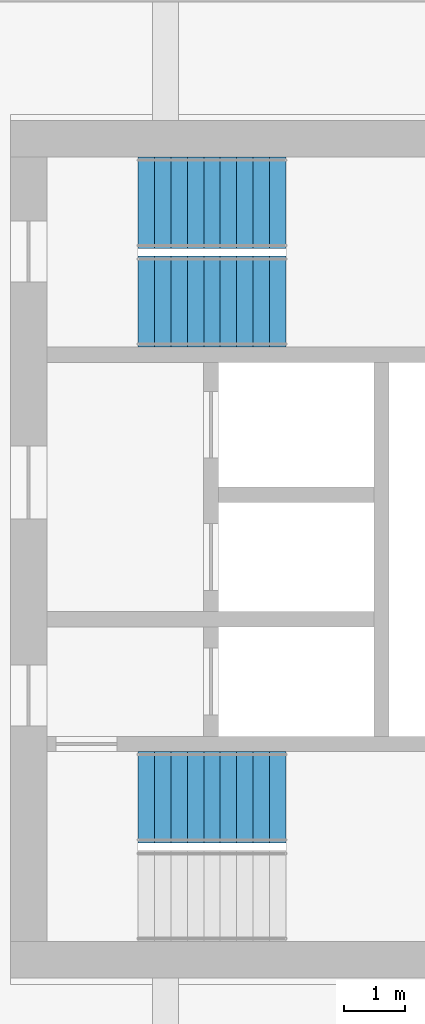
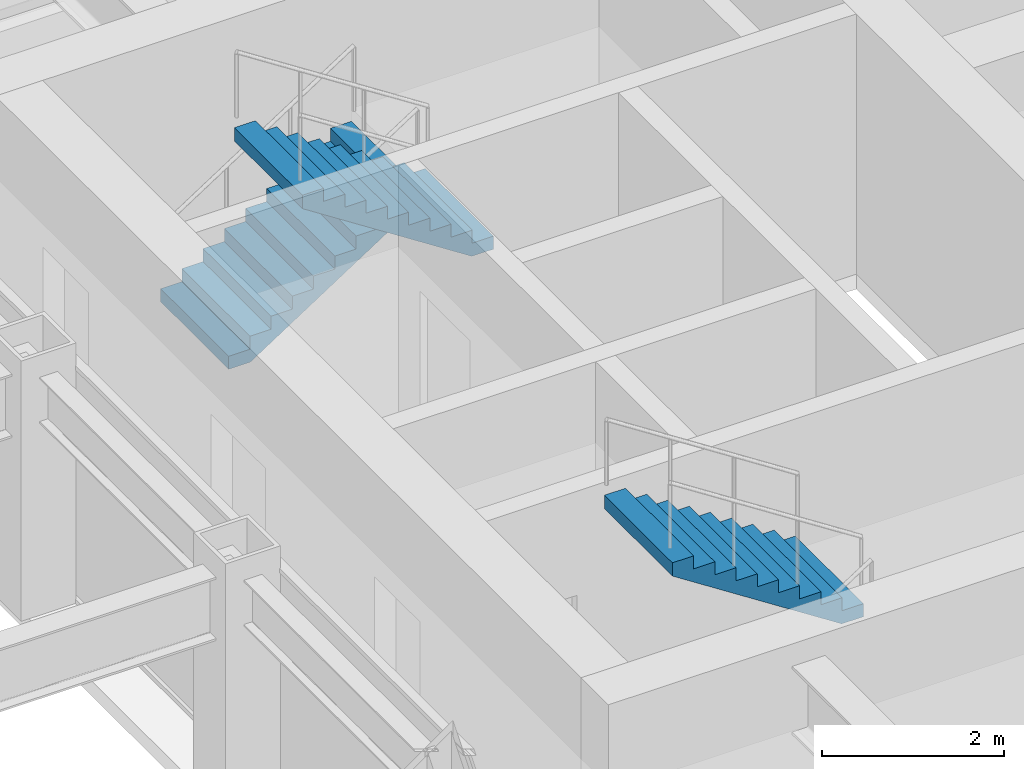
# One storey, part 16 of 21: 3 stair flights, 2 elements without a shape of their own.
"""IFC4 building model written with IfcOpenShell, lengths in metres."""

from ifc_helpers import new_model, si_unit, direction, frame, origin, place, context, subcontext, project, spatial, polyline, outline, extrude, material, type_object, element, aggregate, save


model = new_model("IFC4")

# Units and contexts
model_context = context("Model", 3, precision=1e-05, world=origin(), true_north=direction((0.0, 1.0)))
body_context = subcontext(model_context, "Body", "Model", "MODEL_VIEW")
ifc_project = project(units=[si_unit("LENGTHUNIT", "METRE"), si_unit("AREAUNIT", "SQUARE_METRE"), si_unit("VOLUMEUNIT", "CUBIC_METRE"), si_unit("PLANEANGLEUNIT", "RADIAN"), si_unit("MASSUNIT", "GRAM", prefix="KILO")], contexts=[model_context])

# Site, building, storey
site_placement = place(None, origin())
site = spatial("IfcSite", under=ifc_project, at=site_placement, CompositionType="ELEMENT")
building_placement = place(site_placement, origin())
building = spatial("IfcBuilding", under=site, at=building_placement, Name="Msasa Ring Tower", CompositionType="ELEMENT")
storey_placement = place(building_placement, frame((0.0, 0.0, 103.5)))
storey = spatial("IfcBuildingStorey", under=building, at=storey_placement, Name="L27", CompositionType="ELEMENT", Elevation=103.5)

# Stair, stair flight
ifc_material_1 = material(Name="Concrete C40/50", Category="concrete")
stair_type = type_object("IfcStairType", Name="STC CORE STAIR 20 RISERS 175", PredefinedType="HALF_TURN_STAIR", material=ifc_material_1)
stair_1_placement = place(storey_placement, origin())
stair_1 = element("IfcStair", 1, at=stair_1_placement, inside=storey, type_object=stair_type, Name="Core stair SEA L27", PredefinedType="HALF_TURN_STAIR")
ifc_material_2 = material(Name="Concrete C40/50", Category="concrete")
stair_flight_type = type_object("IfcStairFlightType", Name="ST12 CORE STAIR FLIGHT 1500 10 RISERS 175", PredefinedType="STRAIGHT", material=ifc_material_2)
stair_flight_1_placement = place(storey_placement, frame((13.22998046875, -4.074951171875, 1.75), z_axis=(0.0, 0.0, 1.0), x_axis=(-1.0, 0.0, 0.0)))
stair_flight_1 = element("IfcStairFlight", 2, at=stair_flight_1_placement, type_object=stair_flight_type, Name="SEA flight 2", NumberOfRisers=10, NumberOfTreads=9, PredefinedType="STRAIGHT", RiserHeight=0.175, TreadLength=0.27, context=body_context, shape_type="SweptSolid", body=[
    extrude(outline(polyline([(0.0, 0.0), (0.0, 0.175048828125), (0.27001953125, 0.175048828125), (0.27001953125, 0.35009765625), (0.5400390625, 0.35009765625), (0.5400390625, 0.52490234375), (0.81005859375, 0.52490234375), (0.81005859375, 0.699951171875), (1.080078125, 0.699951171875), (1.080078125, 0.875), (1.35009765625, 0.875), (1.35009765625, 1.050048828125), (1.6201171875, 1.050048828125), (1.6201171875, 1.22509765625), (1.889892578125, 1.22509765625), (1.889892578125, 1.39990234375), (2.159912109375, 1.39990234375), (2.159912109375, 1.574951171875), (2.429931640625, 1.574951171875), (2.429931640625, 1.75), (2.429931640625, 1.396484375), (0.275634765625, 0.0), (0.0, 0.0)])), frame((0.0, 0.75, 0.0), z_axis=(0.0, -1.0, 0.0), x_axis=(1.0, 0.0, 0.0)), (0.0, 0.0, 1.0), 1.5),
])
aggregate(stair_1, [stair_flight_1])

# Stair, stair flights
stair_2_placement = place(storey_placement, origin())
stair_2 = element("IfcStair", 3, at=stair_2_placement, inside=storey, type_object=stair_type, Name="Core stair SEB L27", PredefinedType="HALF_TURN_STAIR")
stair_flight_2_placement = place(storey_placement, frame((10.800048828125, 5.699951171875, 0.0), z_axis=(0.0, 0.0, 1.0), x_axis=(1.0, 0.0, 0.0)))
stair_flight_2 = element("IfcStairFlight", 4, at=stair_flight_2_placement, type_object=stair_flight_type, Name="SEB flight 1", NumberOfRisers=10, NumberOfTreads=9, PredefinedType="STRAIGHT", RiserHeight=0.175, TreadLength=0.27, context=body_context, shape_type="SweptSolid", body=[
    extrude(outline(polyline([(0.0, 0.0), (0.0, 0.175048828125), (0.27001953125, 0.175048828125), (0.27001953125, 0.35009765625), (0.5400390625, 0.35009765625), (0.5400390625, 0.52490234375), (0.81005859375, 0.52490234375), (0.81005859375, 0.699951171875), (1.080078125, 0.699951171875), (1.080078125, 0.875), (1.35009765625, 0.875), (1.35009765625, 1.050048828125), (1.6201171875, 1.050048828125), (1.6201171875, 1.22509765625), (1.889892578125, 1.22509765625), (1.889892578125, 1.39990234375), (2.159912109375, 1.39990234375), (2.159912109375, 1.574951171875), (2.429931640625, 1.574951171875), (2.429931640625, 1.75), (2.429931640625, 1.396484375), (0.275634765625, 0.0), (0.0, 0.0)])), frame((0.0, 0.75, 0.0), z_axis=(0.0, -1.0, 0.0), x_axis=(1.0, 0.0, 0.0)), (0.0, 0.0, 1.0), 1.5),
])
stair_flight_3_placement = place(storey_placement, frame((13.22998046875, 4.074951171875, 1.75), z_axis=(0.0, 0.0, 1.0), x_axis=(-1.0, 0.0, 0.0)))
stair_flight_3 = element("IfcStairFlight", 5, at=stair_flight_3_placement, type_object=stair_flight_type, Name="SEB flight 2", NumberOfRisers=10, NumberOfTreads=9, PredefinedType="STRAIGHT", RiserHeight=0.175, TreadLength=0.27, context=body_context, shape_type="SweptSolid", body=[
    extrude(outline(polyline([(0.0, 0.0), (0.0, 0.175048828125), (0.27001953125, 0.175048828125), (0.27001953125, 0.35009765625), (0.5400390625, 0.35009765625), (0.5400390625, 0.52490234375), (0.81005859375, 0.52490234375), (0.81005859375, 0.699951171875), (1.080078125, 0.699951171875), (1.080078125, 0.875), (1.35009765625, 0.875), (1.35009765625, 1.050048828125), (1.6201171875, 1.050048828125), (1.6201171875, 1.22509765625), (1.889892578125, 1.22509765625), (1.889892578125, 1.39990234375), (2.159912109375, 1.39990234375), (2.159912109375, 1.574951171875), (2.429931640625, 1.574951171875), (2.429931640625, 1.75), (2.429931640625, 1.396484375), (0.275634765625, 0.0), (0.0, 0.0)])), frame((0.0, 0.75, 0.0), z_axis=(0.0, -1.0, 0.0), x_axis=(1.0, 0.0, 0.0)), (0.0, 0.0, 1.0), 1.5),
])
aggregate(stair_2, [stair_flight_2, stair_flight_3])

save(model, "model.ifc")
